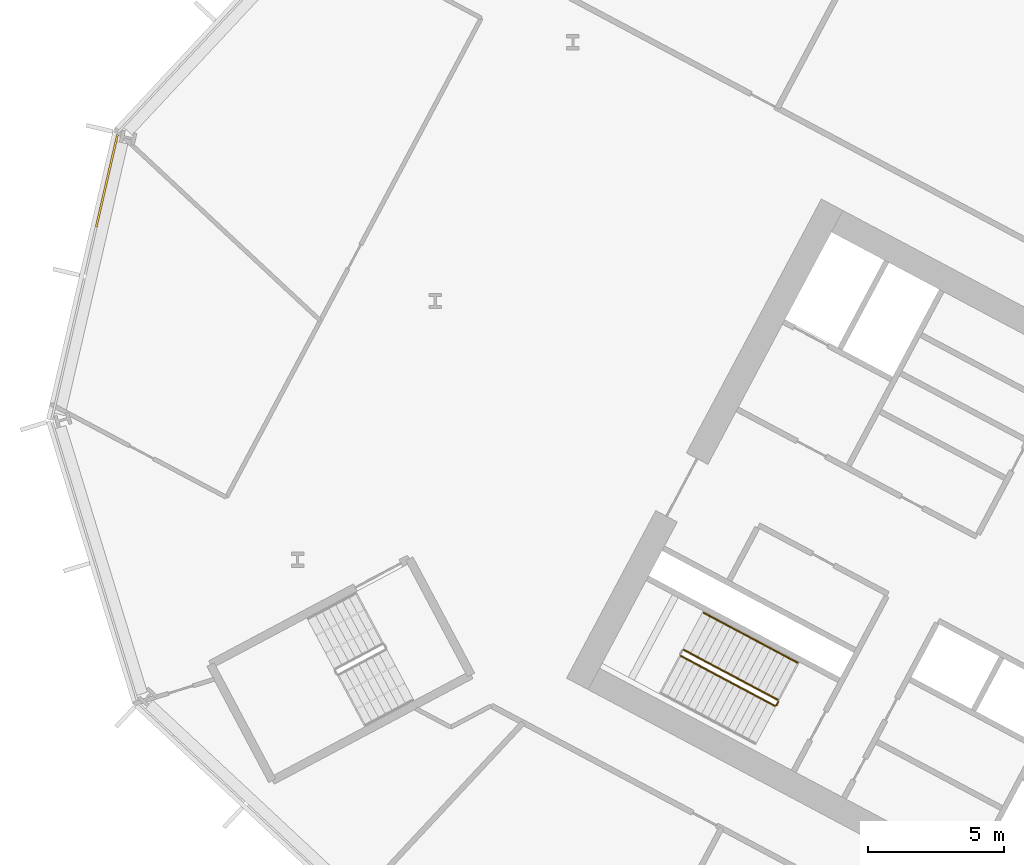
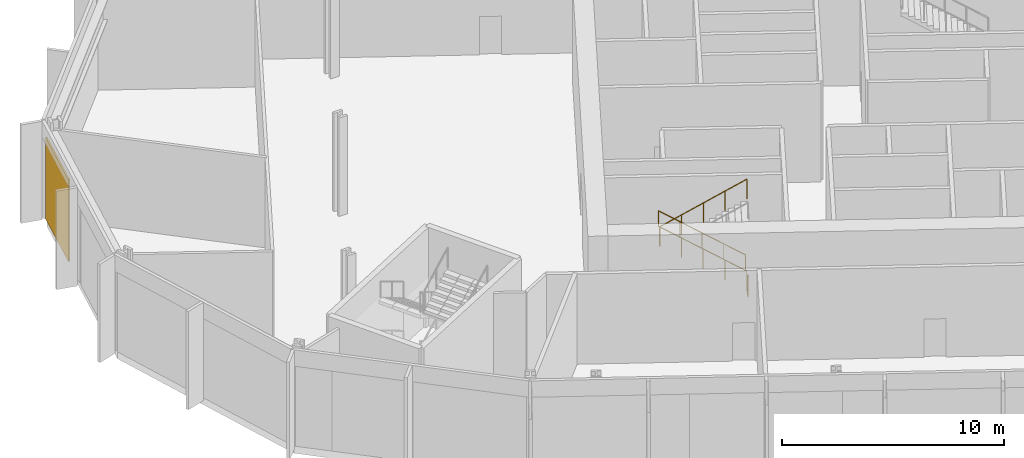
# One storey, part 23 of 32: 4 railings, 1 covering, 1 element without a shape of its own.
"""IFC4 building model written with IfcOpenShell, lengths in metres."""

from ifc_helpers import new_model, si_unit, direction, frame, origin, origin_2d, place, context, subcontext, project, spatial, polyline, rectangle, outline, extrude, material, layer, layer_set, type_object, element, aggregate, save


model = new_model("IFC4")

# Units and contexts
model_context = context("Model", 3, precision=1e-05, world=origin(), true_north=direction((0.0, 1.0)))
body_context = subcontext(model_context, "Body", "Model", "MODEL_VIEW")
ifc_project = project(units=[si_unit("LENGTHUNIT", "METRE"), si_unit("AREAUNIT", "SQUARE_METRE"), si_unit("VOLUMEUNIT", "CUBIC_METRE"), si_unit("PLANEANGLEUNIT", "RADIAN"), si_unit("MASSUNIT", "GRAM", prefix="KILO")], contexts=[model_context])

# Site, building, storey
site_placement = place(None, origin())
site = spatial("IfcSite", under=ifc_project, at=site_placement, CompositionType="ELEMENT")
building_placement = place(site_placement, origin())
building = spatial("IfcBuilding", under=site, at=building_placement, Name="Cormorant Relay Tower", CompositionType="ELEMENT")
storey_placement = place(building_placement, frame((0.0, 0.0, 28.39990234375)))
storey = spatial("IfcBuildingStorey", under=building, at=storey_placement, Name="L05", CompositionType="ELEMENT", Elevation=28.39990234375)

# Curtain wall, covering
ifc_material_1 = material(Name="Aluminium 6063-T6 anodised bronze", Category="aluminium")
ifc_layer_1 = layer(ifc_material_1, 0.235107421875)
ifc_layer_set_1 = layer_set([ifc_layer_1], Name="CW6 data hall curtain wall with mineral wool panels")
curtain_wall_type = type_object("IfcCurtainWallType", Name="CW6 data hall curtain wall with mineral wool panels", PredefinedType="NOTDEFINED", material=ifc_layer_set_1)
curtain_wall_placement = place(storey_placement, origin())
curtain_wall = element("IfcCurtainWall", 1, at=curtain_wall_placement, inside=storey, type_object=curtain_wall_type, Name="CW6 curtain wall 11", PredefinedType="NOTDEFINED")
ifc_material_2 = material(Name="Mineral wool cored anodised bronze aluminium cassette panel", Category="aluminium")
ifc_layer_2 = layer(ifc_material_2, 0.074951171875)
ifc_layer_set_2 = layer_set([ifc_layer_2], Name="CW6 mineral wool cassette panel 75")
covering_type = type_object("IfcCoveringType", Name="CW6 mineral wool cassette panel 75", PredefinedType="CLADDING", material=ifc_layer_set_2)
covering_placement = place(storey_placement, frame((-58.719970703125, 29.222412109375, 0.0), z_axis=(0.0, 0.0, 1.0), x_axis=(-0.224951054344, -0.974370064785, 0.0)))
covering = element("IfcCovering", 2, at=covering_placement, type_object=covering_type, Name="CW6 panel S00", PredefinedType="CLADDING", context=body_context, shape_type="SweptSolid", body=[
    extrude(rectangle(XDim=3.485107421875, YDim=0.074951171875, at=origin_2d()), origin(), (0.0, 0.0, 1.0), 4.5),
])
aggregate(curtain_wall, [covering])

# Railings
ifc_material_3 = material(Name="Steel ASTM A572 Grade 50 (Fy 345 MPa)", Category="steel")
railing_type_1 = type_object("IfcRailingType", Name="Stair guard 1100", PredefinedType="GUARDRAIL", material=ifc_material_3)
railing_1_placement = place(storey_placement, frame((-33.9921875, 10.08935546875, 0.18017578125)))
element("IfcRailing", 3, at=railing_1_placement, inside=storey, type_object=railing_type_1, Name="L05 A2 stair guard 1", PredefinedType="GUARDRAIL", context=body_context, shape_type="SweptSolid", body=[
    extrude(outline(polyline([(0.022216796875, 0.00927734375), (0.00927734375, 0.022216796875), (-0.00927734375, 0.022216796875), (-0.022216796875, 0.00927734375), (-0.022216796875, -0.00927734375), (-0.00927734375, -0.022216796875), (0.00927734375, -0.022216796875), (0.022216796875, -0.00927734375), (0.022216796875, 0.00927734375)])), frame((0.0, 0.0, 1.076171875), z_axis=(-0.74271721126, 0.394907409077, 0.540758062681), x_axis=(-0.469469396681, -0.882948744594, 0.0)), (0.0, 0.0, 1.0), 4.66015625),
    extrude(outline(polyline([(0.019287109375, 0.008056640625), (0.008056640625, 0.019287109375), (-0.008056640625, 0.019287109375), (-0.019287109375, 0.008056640625), (-0.019287109375, -0.008056640625), (-0.008056640625, -0.019287109375), (0.008056640625, -0.019287109375), (0.019287109375, -0.008056640625), (0.019287109375, 0.008056640625)])), origin(), (0.0, 0.0, 1.0), 1.052001953125),
    extrude(outline(polyline([(0.019287109375, 0.008056640625), (0.008056640625, 0.019287109375), (-0.008056640625, 0.019287109375), (-0.019287109375, 0.008056640625), (-0.019287109375, -0.008056640625), (-0.008056640625, -0.019287109375), (0.008056640625, -0.019287109375), (0.019287109375, -0.008056640625), (0.019287109375, 0.008056640625)])), frame((-0.865234375, 0.4599609375, 0.6298828125)), (0.0, 0.0, 1.0), 1.052001953125),
    extrude(outline(polyline([(0.019287109375, 0.008056640625), (0.008056640625, 0.019287109375), (-0.008056640625, 0.019287109375), (-0.019287109375, 0.008056640625), (-0.019287109375, -0.008056640625), (-0.008056640625, -0.019287109375), (0.008056640625, -0.019287109375), (0.019287109375, -0.008056640625), (0.019287109375, 0.008056640625)])), frame((-1.73046875, 0.920166015625, 1.260009765625)), (0.0, 0.0, 1.0), 1.052001953125),
    extrude(outline(polyline([(0.019287109375, 0.008056640625), (0.008056640625, 0.019287109375), (-0.008056640625, 0.019287109375), (-0.019287109375, 0.008056640625), (-0.019287109375, -0.008056640625), (-0.008056640625, -0.019287109375), (0.008056640625, -0.019287109375), (0.019287109375, -0.008056640625), (0.019287109375, 0.008056640625)])), frame((-2.595947265625, 1.38037109375, 1.89013671875)), (0.0, 0.0, 1.0), 1.052001953125),
    extrude(outline(polyline([(0.019287109375, 0.008056640625), (0.008056640625, 0.019287109375), (-0.008056640625, 0.019287109375), (-0.019287109375, 0.008056640625), (-0.019287109375, -0.008056640625), (-0.008056640625, -0.019287109375), (0.008056640625, -0.019287109375), (0.019287109375, -0.008056640625), (0.019287109375, 0.008056640625)])), frame((-3.461181640625, 1.84033203125, 2.52001953125)), (0.0, 0.0, 1.0), 1.052001953125),
])
railing_2_placement = place(storey_placement, frame((-37.57080078125, 11.708984375, 2.880126953125)))
element("IfcRailing", 4, at=railing_2_placement, inside=storey, type_object=railing_type_1, Name="L05 A2 stair guard 3", PredefinedType="GUARDRAIL", context=body_context, shape_type="SweptSolid", body=[
    extrude(outline(polyline([(0.022216796875, 0.00927734375), (0.00927734375, 0.022216796875), (-0.00927734375, 0.022216796875), (-0.022216796875, 0.00927734375), (-0.022216796875, -0.00927734375), (-0.00927734375, -0.022216796875), (0.00927734375, -0.022216796875), (0.022216796875, -0.00927734375), (0.022216796875, 0.00927734375)])), frame((0.0, 0.0, 1.076171875), z_axis=(0.74271721126, -0.394907409077, 0.540758062681), x_axis=(0.469469396681, 0.882948744594, 0.0)), (0.0, 0.0, 1.0), 4.66015625),
    extrude(outline(polyline([(0.019287109375, 0.008056640625), (0.008056640625, 0.019287109375), (-0.008056640625, 0.019287109375), (-0.019287109375, 0.008056640625), (-0.019287109375, -0.008056640625), (-0.008056640625, -0.019287109375), (0.008056640625, -0.019287109375), (0.019287109375, -0.008056640625), (0.019287109375, 0.008056640625)])), origin(), (0.0, 0.0, 1.0), 1.052001953125),
    extrude(outline(polyline([(0.019287109375, 0.008056640625), (0.008056640625, 0.019287109375), (-0.008056640625, 0.019287109375), (-0.019287109375, 0.008056640625), (-0.019287109375, -0.008056640625), (-0.008056640625, -0.019287109375), (0.008056640625, -0.019287109375), (0.019287109375, -0.008056640625), (0.019287109375, 0.008056640625)])), frame((0.865234375, -0.4599609375, 0.6298828125)), (0.0, 0.0, 1.0), 1.052001953125),
    extrude(outline(polyline([(0.019287109375, 0.008056640625), (0.008056640625, 0.019287109375), (-0.008056640625, 0.019287109375), (-0.019287109375, 0.008056640625), (-0.019287109375, -0.008056640625), (-0.008056640625, -0.019287109375), (0.008056640625, -0.019287109375), (0.019287109375, -0.008056640625), (0.019287109375, 0.008056640625)])), frame((1.73046875, -0.920166015625, 1.260009765625)), (0.0, 0.0, 1.0), 1.052001953125),
    extrude(outline(polyline([(0.019287109375, 0.008056640625), (0.008056640625, 0.019287109375), (-0.008056640625, 0.019287109375), (-0.019287109375, 0.008056640625), (-0.019287109375, -0.008056640625), (-0.008056640625, -0.019287109375), (0.008056640625, -0.019287109375), (0.019287109375, -0.008056640625), (0.019287109375, 0.008056640625)])), frame((2.595947265625, -1.38037109375, 1.89013671875)), (0.0, 0.0, 1.0), 1.052001953125),
    extrude(outline(polyline([(0.019287109375, 0.008056640625), (0.008056640625, 0.019287109375), (-0.008056640625, 0.019287109375), (-0.019287109375, 0.008056640625), (-0.019287109375, -0.008056640625), (-0.008056640625, -0.019287109375), (0.008056640625, -0.019287109375), (0.019287109375, -0.008056640625), (0.019287109375, 0.008056640625)])), frame((3.461181640625, -1.84033203125, 2.52001953125)), (0.0, 0.0, 1.0), 1.052001953125),
])
railing_3_placement = place(storey_placement, frame((-33.971435546875, 10.021728515625, 0.0)))
element("IfcRailing", 5, at=railing_3_placement, inside=storey, type_object=railing_type_1, Name="L05 A2 stair guard 4", PredefinedType="GUARDRAIL", context=body_context, shape_type="SweptSolid", body=[
    extrude(outline(polyline([(0.022216796875, 0.00927734375), (0.00927734375, 0.022216796875), (-0.00927734375, 0.022216796875), (-0.022216796875, 0.00927734375), (-0.022216796875, -0.00927734375), (-0.00927734375, -0.022216796875), (0.00927734375, -0.022216796875), (0.022216796875, -0.00927734375), (0.022216796875, 0.00927734375)])), frame((0.0, 0.0, 1.076171875), z_axis=(-0.470503732759, -0.882398003998, 0.0), x_axis=(0.882398003998, -0.470503732759, 0.0)), (0.0, 0.0, 1.0), 0.14990234375),
    extrude(outline(polyline([(0.019287109375, 0.008056640625), (0.008056640625, 0.019287109375), (-0.008056640625, 0.019287109375), (-0.019287109375, 0.008056640625), (-0.019287109375, -0.008056640625), (-0.008056640625, -0.019287109375), (0.008056640625, -0.019287109375), (0.019287109375, -0.008056640625), (0.019287109375, 0.008056640625)])), origin(), (0.0, 0.0, 1.0), 1.052001953125),
    extrude(outline(polyline([(0.019287109375, 0.008056640625), (0.008056640625, 0.019287109375), (-0.008056640625, 0.019287109375), (-0.019287109375, 0.008056640625), (-0.019287109375, -0.008056640625), (-0.008056640625, -0.019287109375), (0.008056640625, -0.019287109375), (0.019287109375, -0.008056640625), (0.019287109375, 0.008056640625)])), frame((-0.070556640625, -0.13232421875, 0.0)), (0.0, 0.0, 1.0), 1.052001953125),
])
ifc_material_4 = material(Name="Steel ASTM A572 Grade 50 (Fy 345 MPa)", Category="steel")
railing_type_2 = type_object("IfcRailingType", Name="Stair handrail 900", PredefinedType="HANDRAIL", material=ifc_material_4)
railing_4_placement = place(storey_placement, frame((-33.264404296875, 11.4580078125, 0.18017578125)))
element("IfcRailing", 6, at=railing_4_placement, inside=storey, type_object=railing_type_2, Name="L05 A2 stair handrail 1", PredefinedType="HANDRAIL", context=body_context, shape_type="SweptSolid", body=[
    extrude(outline(polyline([(0.022216796875, 0.00927734375), (0.00927734375, 0.022216796875), (-0.00927734375, 0.022216796875), (-0.022216796875, 0.00927734375), (-0.022216796875, -0.00927734375), (-0.00927734375, -0.022216796875), (0.00927734375, -0.022216796875), (0.022216796875, -0.00927734375), (0.022216796875, 0.00927734375)])), frame((0.0, 0.0, 0.8759765625), z_axis=(-0.74271721126, 0.394907409077, 0.540758062681), x_axis=(-0.469469396681, -0.882948744594, 0.0)), (0.0, 0.0, 1.0), 4.66015625),
    extrude(outline(polyline([(0.019287109375, 0.008056640625), (0.008056640625, 0.019287109375), (-0.008056640625, 0.019287109375), (-0.019287109375, 0.008056640625), (-0.019287109375, -0.008056640625), (-0.008056640625, -0.019287109375), (0.008056640625, -0.019287109375), (0.019287109375, -0.008056640625), (0.019287109375, 0.008056640625)])), origin(), (0.0, 0.0, 1.0), 0.851806640625),
    extrude(outline(polyline([(0.019287109375, 0.008056640625), (0.008056640625, 0.019287109375), (-0.008056640625, 0.019287109375), (-0.019287109375, 0.008056640625), (-0.019287109375, -0.008056640625), (-0.008056640625, -0.019287109375), (0.008056640625, -0.019287109375), (0.019287109375, -0.008056640625), (0.019287109375, 0.008056640625)])), frame((-0.865234375, 0.4599609375, 0.6298828125)), (0.0, 0.0, 1.0), 0.851806640625),
    extrude(outline(polyline([(0.019287109375, 0.008056640625), (0.008056640625, 0.019287109375), (-0.008056640625, 0.019287109375), (-0.019287109375, 0.008056640625), (-0.019287109375, -0.008056640625), (-0.008056640625, -0.019287109375), (0.008056640625, -0.019287109375), (0.019287109375, -0.008056640625), (0.019287109375, 0.008056640625)])), frame((-1.73046875, 0.920166015625, 1.260009765625)), (0.0, 0.0, 1.0), 0.851806640625),
    extrude(outline(polyline([(0.019287109375, 0.008056640625), (0.008056640625, 0.019287109375), (-0.008056640625, 0.019287109375), (-0.019287109375, 0.008056640625), (-0.019287109375, -0.008056640625), (-0.008056640625, -0.019287109375), (0.008056640625, -0.019287109375), (0.019287109375, -0.008056640625), (0.019287109375, 0.008056640625)])), frame((-2.595947265625, 1.38037109375, 1.89013671875)), (0.0, 0.0, 1.0), 0.851806640625),
    extrude(outline(polyline([(0.019287109375, 0.008056640625), (0.008056640625, 0.019287109375), (-0.008056640625, 0.019287109375), (-0.019287109375, 0.008056640625), (-0.019287109375, -0.008056640625), (-0.008056640625, -0.019287109375), (0.008056640625, -0.019287109375), (0.019287109375, -0.008056640625), (0.019287109375, 0.008056640625)])), frame((-3.461181640625, 1.84033203125, 2.52001953125)), (0.0, 0.0, 1.0), 0.851806640625),
])

save(model, "model.ifc")
